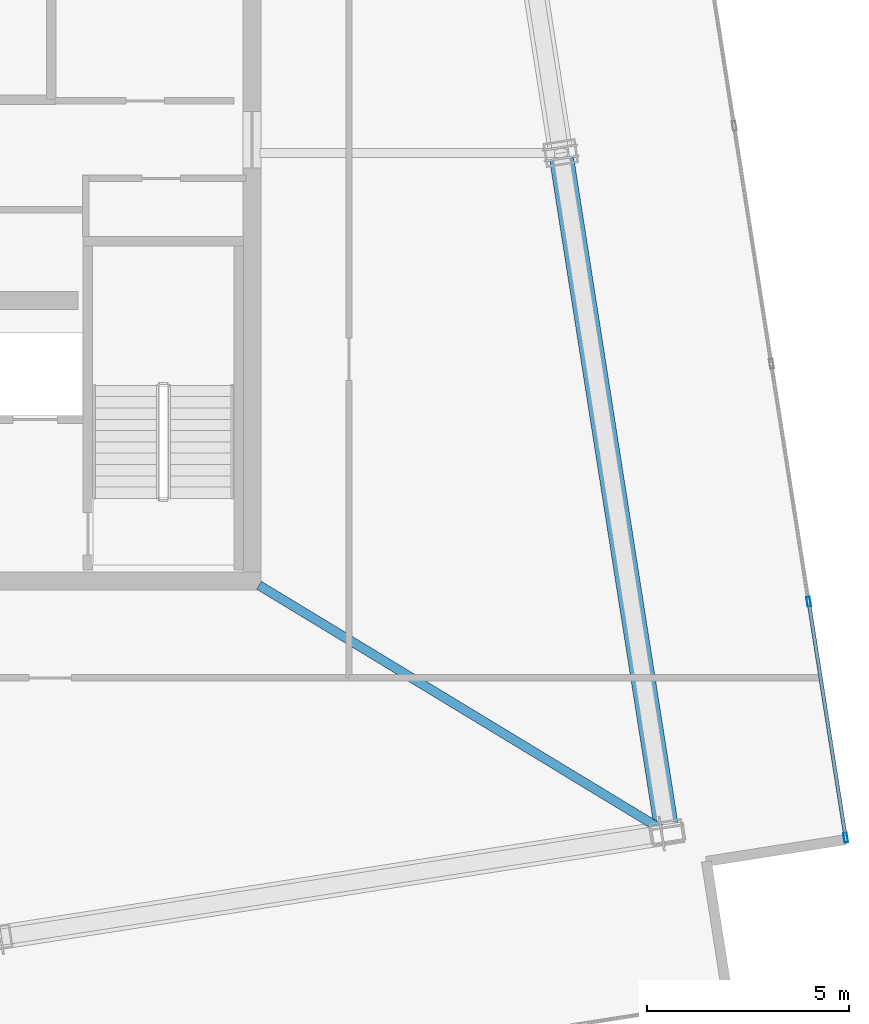
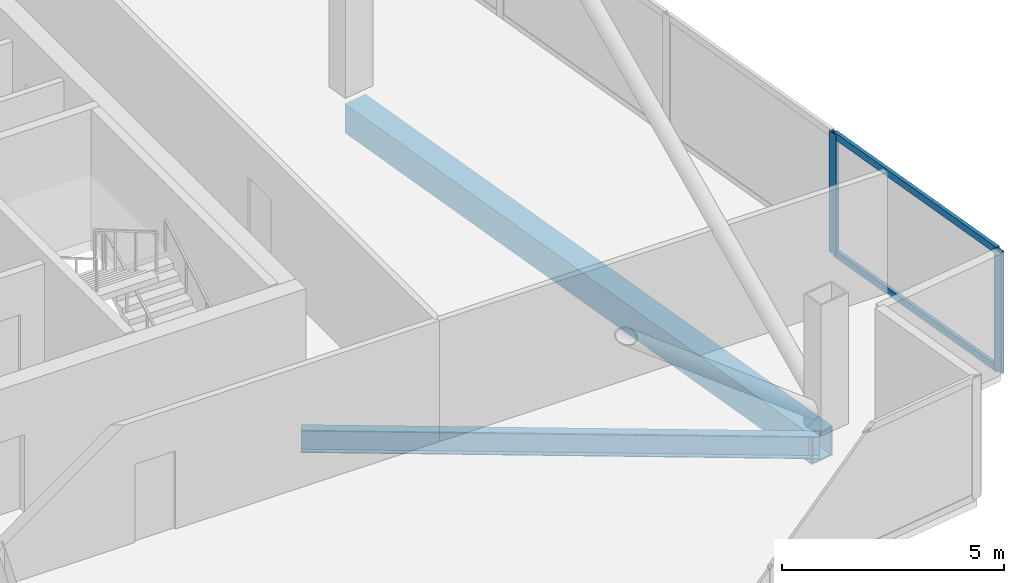
# One storey, part 9 of 21: 4 members, 2 beams, 1 element without a shape of its own.
"""IFC4 building model written with IfcOpenShell, lengths in metres."""

from ifc_helpers import new_model, si_unit, direction, frame, origin, origin_2d, place, context, subcontext, project, spatial, hollow_rectangle, i_section, extrude, material, material_profile, profile_set, type_object, element, aggregate, save


model = new_model("IFC4")

# Units and contexts
model_context = context("Model", 3, precision=1e-05, world=origin(), true_north=direction((0.0, 1.0)))
body_context = subcontext(model_context, "Body", "Model", "MODEL_VIEW")
ifc_project = project(units=[si_unit("LENGTHUNIT", "METRE"), si_unit("AREAUNIT", "SQUARE_METRE"), si_unit("VOLUMEUNIT", "CUBIC_METRE"), si_unit("PLANEANGLEUNIT", "RADIAN"), si_unit("MASSUNIT", "GRAM", prefix="KILO")], contexts=[model_context])

# Site, building, storey
site_placement = place(None, origin())
site = spatial("IfcSite", under=ifc_project, at=site_placement, CompositionType="ELEMENT")
building_placement = place(site_placement, origin())
building = spatial("IfcBuilding", under=site, at=building_placement, Name="Haldenkirk Collegiate Tower", CompositionType="ELEMENT")
storey_placement = place(building_placement, frame((0.0, 0.0, 360.60009765625)))
storey = spatial("IfcBuildingStorey", under=building, at=storey_placement, Name="L91", CompositionType="ELEMENT", Elevation=360.60009765625)

# Beams
ifc_material_1 = material(Name="Steel ASTM A992 Grade 50", Category="steel")
ifc_material_profile_1 = material_profile(ifc_material_1, i_section(OverallWidth=0.22998046875, OverallDepth=0.616943359375, WebThickness=0.01318359375, FlangeThickness=0.022216796875, at=origin_2d()), Name="W24X94")
ifc_profile_set_1 = profile_set([ifc_material_profile_1], Name="Steel ASTM A992 Grade 50")
beam_type_1 = type_object("IfcBeamType", Name="BM-GIRDER-W24X94", PredefinedType="BEAM", material=ifc_profile_set_1)
beam_1_placement = place(storey_placement, frame((55.156494140625, 11.840087890625, -0.57861328125), z_axis=(-0.855035491558, 0.518569482496, 0.0), x_axis=(-0.518569482496, -0.855035491558, 0.0)))
element("IfcBeam", 1, at=beam_1_placement, inside=storey, type_object=beam_type_1, Name="L91 crown radial floor beam 1", PredefinedType="BEAM", context=body_context, shape_type="SweptSolid", body=[
    extrude(i_section(OverallWidth=0.22998046875, OverallDepth=0.616943359375, WebThickness=0.01318359375, FlangeThickness=0.022216796875, at=origin_2d()), origin(), (0.0, 0.0, 1.0), 11.678466796875),
])
ifc_material_2 = material(Name="Steel ASTM A572 Grade 50", Category="steel")
ifc_material_profile_2 = material_profile(ifc_material_2, hollow_rectangle(XDim=0.60009765625, YDim=0.800048828125, WallThickness=0.0400390625, at=origin_2d()), Name="BOX800X600X40")
ifc_profile_set_2 = profile_set([ifc_material_profile_2], Name="Steel ASTM A572 Grade 50")
beam_type_2 = type_object("IfcBeamType", Name="BM-SPANDREL-BOX800X600X40", PredefinedType="SPANDREL", material=ifc_profile_set_2)
beam_2_placement = place(storey_placement, frame((55.26171875, 11.910400390625, -0.670166015625), z_axis=(-0.154705009471, 0.987960707743, 0.0), x_axis=(-0.987960707743, -0.154705009471, 0.0)))
element("IfcBeam", 2, at=beam_2_placement, inside=storey, type_object=beam_type_2, Name="L91 Crown Ring Frame perimeter girder 1", PredefinedType="SPANDREL", context=body_context, shape_type="SweptSolid", body=[
    extrude(hollow_rectangle(XDim=0.60009765625, YDim=0.800048828125, WallThickness=0.0400390625, at=origin_2d()), origin(), (0.0, 0.0, 1.0), 16.75),
])

# Curtain wall, members
ifc_material_3 = material(Name="Anodised architectural bronze aluminium", Category="aluminium")
curtain_wall_type = type_object("IfcCurtainWallType", Name="CW-SYS6-CROWN", PredefinedType="USERDEFINED", material=ifc_material_3)
curtain_wall_placement = place(storey_placement, origin())
curtain_wall = element("IfcCurtainWall", 3, at=curtain_wall_placement, inside=storey, type_object=curtain_wall_type, Name="L91 Closed crown ring ceramic-fritted bronze screen curtain wall", ObjectType="UNITISED CURTAIN WALL", PredefinedType="USERDEFINED")
ifc_material_profile_3 = material_profile(ifc_material_3, hollow_rectangle(XDim=0.090087890625, YDim=0.239990234375, WallThickness=0.0048828125, at=origin_2d()), Name="CW-MUL-06")
ifc_profile_set_3 = profile_set([ifc_material_profile_3], Name="Anodised architectural bronze aluminium")
member_type_1 = type_object("IfcMemberType", Name="CW-MUL-06", PredefinedType="MULLION", material=ifc_profile_set_3)
member_1_placement = place(storey_placement, frame((58.791015625, 17.490234375, 0.0), z_axis=(0.0, 0.0, 1.0), x_axis=(0.987959532462, 0.154712514742, 0.0)))
member_1 = element("IfcMember", 4, at=member_1_placement, type_object=member_type_1, Name="CW-06 mullion 6", PredefinedType="MULLION", context=body_context, shape_type="SweptSolid", body=[
    extrude(hollow_rectangle(XDim=0.090087890625, YDim=0.239990234375, WallThickness=0.0048828125, at=origin_2d()), origin(), (0.0, 0.0, 1.0), 3.329833984375),
])
member_2_placement = place(storey_placement, frame((59.70703125, 11.639892578125, 0.0), z_axis=(0.0, 0.0, 1.0), x_axis=(0.987959532462, 0.154712514742, 0.0)))
member_2 = element("IfcMember", 5, at=member_2_placement, type_object=member_type_1, Name="CW-06 mullion 7", PredefinedType="MULLION", context=body_context, shape_type="SweptSolid", body=[
    extrude(hollow_rectangle(XDim=0.090087890625, YDim=0.239990234375, WallThickness=0.0048828125, at=origin_2d()), origin(), (0.0, 0.0, 1.0), 3.329833984375),
])
ifc_material_profile_4 = material_profile(ifc_material_3, hollow_rectangle(XDim=0.090087890625, YDim=0.18994140625, WallThickness=0.0048828125, at=origin_2d()), Name="CW-TRN-06")
ifc_profile_set_4 = profile_set([ifc_material_profile_4], Name="Anodised architectural bronze aluminium")
member_type_2 = type_object("IfcMemberType", Name="CW-TRN-06", PredefinedType="USERDEFINED", material=ifc_profile_set_4)
member_3_placement = place(storey_placement, frame((58.7978515625, 17.44580078125, 0.044921875), z_axis=(0.154730622105, -0.987956696714, 0.0), x_axis=(0.987956696714, 0.154730622105, 0.0)))
member_3 = element("IfcMember", 6, at=member_3_placement, type_object=member_type_2, Name="CW-06 transom 6.1", ObjectType="TRANSOM", PredefinedType="USERDEFINED", context=body_context, shape_type="SweptSolid", body=[
    extrude(hollow_rectangle(XDim=0.090087890625, YDim=0.18994140625, WallThickness=0.0048828125, at=origin_2d()), origin(), (0.0, 0.0, 1.0), 5.831787109375),
])
member_4_placement = place(storey_placement, frame((58.7978515625, 17.44580078125, 3.284912109375), z_axis=(0.154730622105, -0.987956696714, 0.0), x_axis=(0.987956696714, 0.154730622105, 0.0)))
member_4 = element("IfcMember", 7, at=member_4_placement, type_object=member_type_2, Name="CW-06 transom 6.2", ObjectType="TRANSOM", PredefinedType="USERDEFINED", context=body_context, shape_type="SweptSolid", body=[
    extrude(hollow_rectangle(XDim=0.090087890625, YDim=0.18994140625, WallThickness=0.0048828125, at=origin_2d()), origin(), (0.0, 0.0, 1.0), 5.831787109375),
])
aggregate(curtain_wall, [member_1, member_2, member_3, member_4])

save(model, "model.ifc")
